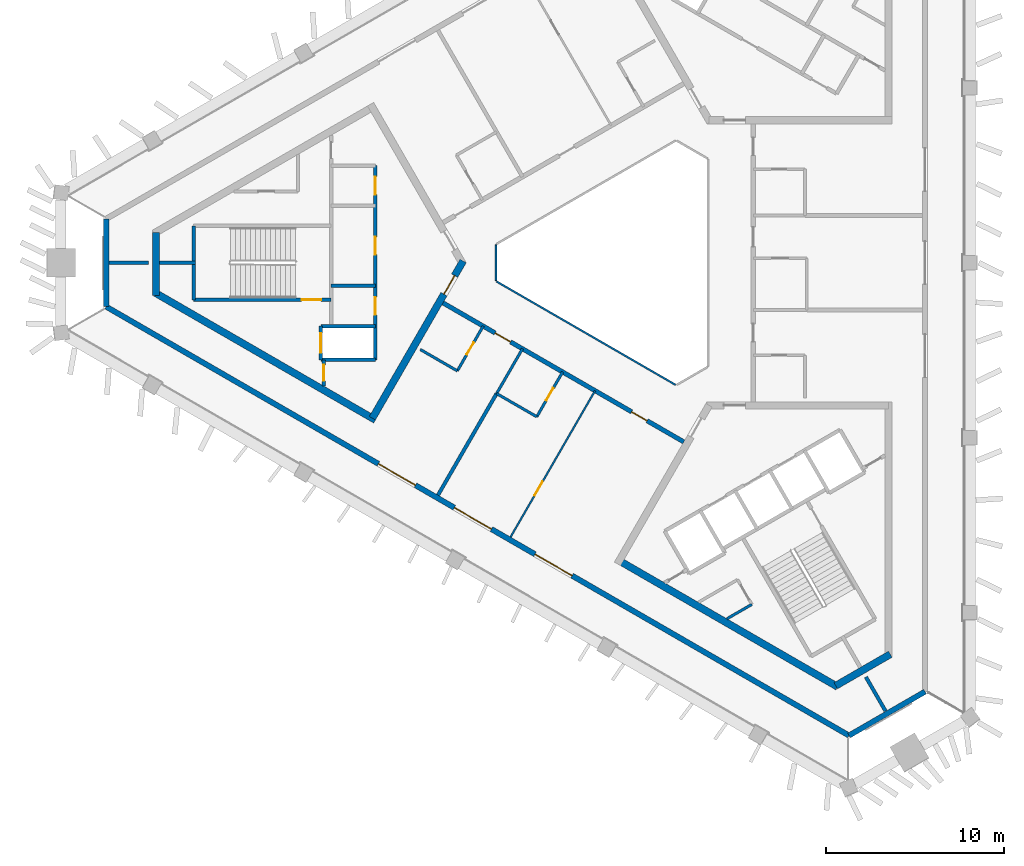
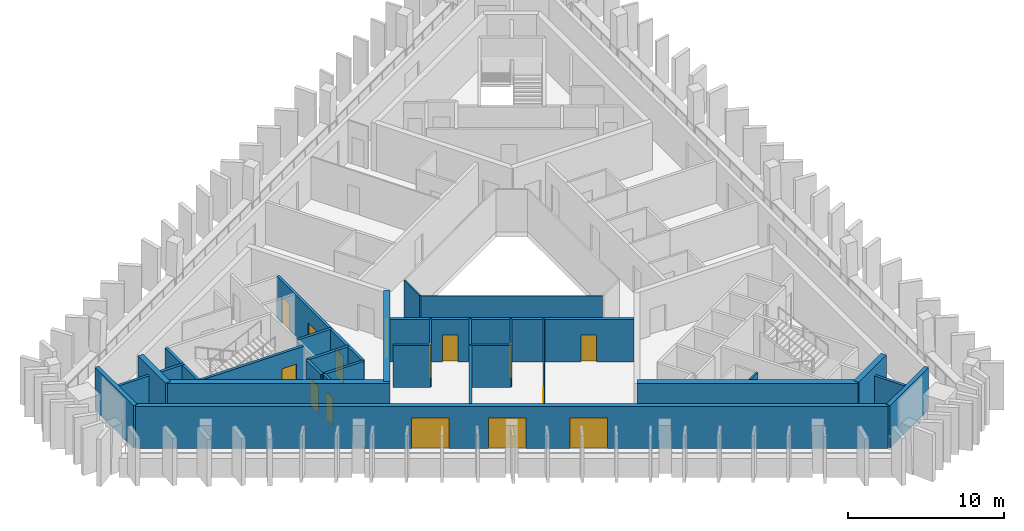
# One storey, part 2 of 10: 30 walls, 15 doors, 15 openings.
"""IFC4 building model written with IfcOpenShell, lengths in metres."""

from ifc_helpers import new_model, si_unit, direction, frame, frame_2d, origin, place, context, subcontext, project, spatial, rectangle, extrude, material, layer, layer_set, type_object, element, fill, save


model = new_model("IFC4")

# Units and contexts
model_context = context("Model", 3, precision=1e-05, world=origin(), true_north=direction((0.0, 1.0)))
body_context = subcontext(model_context, "Body", "Model", "MODEL_VIEW")
ifc_project = project(units=[si_unit("LENGTHUNIT", "METRE"), si_unit("AREAUNIT", "SQUARE_METRE"), si_unit("VOLUMEUNIT", "CUBIC_METRE"), si_unit("PLANEANGLEUNIT", "RADIAN"), si_unit("MASSUNIT", "GRAM", prefix="KILO")], contexts=[model_context])

# Site, building, storey
site_placement = place(None, origin())
site = spatial("IfcSite", under=ifc_project, at=site_placement, CompositionType="ELEMENT")
building_placement = place(site_placement, origin())
building = spatial("IfcBuilding", under=site, at=building_placement, Name="Jabali Bay Hotel Tower and Convention Centre", CompositionType="ELEMENT")
storey_placement = place(building_placement, frame((0.0, 0.0, 266.39990234375)))
storey = spatial("IfcBuildingStorey", under=building, at=storey_placement, Name="L65", CompositionType="ELEMENT", Elevation=266.39990234375)

# Walls
ifc_material_1 = material(Name="Fire-resistant glazing", Category="glass")
ifc_layer_1 = layer(ifc_material_1, 0.10009765625)
ifc_layer_set_1 = layer_set([ifc_layer_1], Name="Fire-resistant glazing")
wall_type_1 = type_object("IfcWallType", Name="Atrium glazed screen 100", PredefinedType="PARTITIONING", material=ifc_layer_set_1)
wall_1_placement = place(storey_placement, frame((67.672119140625, 81.0, 0.0), z_axis=(0.0, 0.0, 1.0), x_axis=(0.0, -1.0, 0.0)))
element("IfcWall", 1, at=wall_1_placement, inside=storey, type_object=wall_type_1, Name="Atrium screen 4 L65", PredefinedType="PARTITIONING", context=body_context, shape_type="SweptSolid", body=[
    extrude(rectangle(XDim=2.0, YDim=0.10009765625, at=frame_2d((1.0, 0.0))), origin(), (0.0, 0.0, 1.0), 3.300048828125),
])
wall_2_placement = place(storey_placement, frame((67.7021484375, 78.947998046875, 0.0), z_axis=(0.0, 0.0, 1.0), x_axis=(0.866026658274, -0.499997827154, 0.0)))
element("IfcWall", 2, at=wall_2_placement, inside=storey, type_object=wall_type_1, Name="Atrium screen 5 L65", PredefinedType="PARTITIONING", context=body_context, shape_type="SweptSolid", body=[
    extrude(rectangle(XDim=11.58837890625, YDim=0.10009765625, at=frame_2d((5.794189453125, 0.0))), origin(), (0.0, 0.0, 1.0), 3.300048828125),
])
ifc_material_2 = material(Name="Concrete C40", Category="concrete")
ifc_layer_2 = layer(ifc_material_2, 0.199951171875)
ifc_layer_set_2 = layer_set([ifc_layer_2], Name="Concrete C40")
wall_type_2 = type_object("IfcWallType", Name="Core partition wall 200", PredefinedType="PARTITIONING", material=ifc_layer_set_2)
wall_3_placement = place(storey_placement, frame((50.820068359375, 80.0, 0.0), z_axis=(0.0, 0.0, 1.0), x_axis=(-1.0, 0.0, 0.0)))
element("IfcWall", 3, at=wall_3_placement, inside=storey, type_object=wall_type_2, Name="Core wall 0.4 L65", PredefinedType="PARTITIONING", context=body_context, shape_type="SweptSolid", body=[
    extrude(rectangle(XDim=2.023193359375, YDim=0.199951171875, at=frame_2d((1.01171875, 0.0))), origin(), (0.0, 0.0, 1.0), 3.300048828125),
])

# Wall, opening, door
wall_4_placement = place(storey_placement, frame((58.0, 74.550048828125, 0.0), z_axis=(0.0, 0.0, 1.0), x_axis=(0.0, -1.0, 0.0)))
wall_4 = element("IfcWall", 4, at=wall_4_placement, inside=storey, type_object=wall_type_2, Name="Core wall 0.11 L65", PredefinedType="PARTITIONING", context=body_context, shape_type="SweptSolid", body=[
    extrude(rectangle(XDim=1.455078125, YDim=0.199951171875, at=frame_2d((0.7275390625, 0.0))), origin(), (0.0, 0.0, 1.0), 3.300048828125),
])
opening_1_placement = place(wall_4_placement, frame((0.277587890625, 0.0, 0.0)))
opening_1 = element("IfcOpeningElement", 5, at=opening_1_placement, cuts=wall_4, Name="Opening D1427", PredefinedType="OPENING", context=body_context, shape_type="SweptSolid", body=[
    extrude(rectangle(XDim=0.89990234375, YDim=2.10009765625, at=frame_2d((0.449951171875, 1.050048828125))), frame((0.0, 0.1103515625, 0.0), z_axis=(0.0, -1.0, 0.0), x_axis=(1.0, 0.0, 0.0)), (0.0, 0.0, 1.0), 0.220947265625),
])
ifc_material_3 = material(Name="Fire-rated steel door", Category="steel")
door_type_1 = type_object("IfcDoorType", Name="Vestibule fire door 900 x 2100", OperationType="NOTDEFINED", PredefinedType="NOTDEFINED", material=ifc_material_3)
door_1_placement = place(opening_1_placement, origin())
door_1 = element("IfcDoor", 6, at=door_1_placement, inside=storey, type_object=door_type_1, Name="Vestibule fire door D1427", OperationType="SINGLE_SWING_LEFT", OverallHeight=2.10009765625, OverallWidth=0.89990234375, PredefinedType="NOTDEFINED", context=body_context, shape_type="SweptSolid", body=[
    extrude(rectangle(XDim=0.89990234375, YDim=2.10009765625, at=frame_2d((0.449951171875, 1.050048828125))), frame((0.0, 0.02490234375, 0.0), z_axis=(0.0, -1.0, 0.0), x_axis=(1.0, 0.0, 0.0)), (0.0, 0.0, 1.0), 0.050048828125),
])
fill(opening_1, door_1)

# Walls
ifc_material_4 = material(Name="Fire-rated board partition")
ifc_layer_3 = layer(ifc_material_4, 0.14990234375)
ifc_layer_set_3 = layer_set([ifc_layer_3], Name="Fire-rated board partition")
wall_type_3 = type_object("IfcWallType", Name="Core room partition 150", PredefinedType="PARTITIONING", material=ifc_layer_set_3)
wall_5_placement = place(storey_placement, frame((80.6201171875, 60.03515625, 0.0), z_axis=(0.0, 0.0, 1.0), x_axis=(0.866001818993, 0.500040847832, 0.0)))
element("IfcWall", 7, at=wall_5_placement, inside=storey, type_object=wall_type_3, Name="Core wall 2.17 L65", PredefinedType="PARTITIONING", context=body_context, shape_type="SweptSolid", body=[
    extrude(rectangle(XDim=1.614990234375, YDim=0.14990234375, at=frame_2d((0.8076171875, 0.0))), origin(), (0.0, 0.0, 1.0), 3.300048828125),
])
ifc_layer_4 = layer(ifc_material_2, 0.199951171875)
ifc_layer_set_4 = layer_set([ifc_layer_4], Name="Concrete C40")
wall_type_4 = type_object("IfcWallType", Name="Core stair wall 200", PredefinedType="SOLIDWALL", material=ifc_layer_set_4)
wall_6_placement = place(storey_placement, frame((60.89990234375, 78.699951171875, 0.0), z_axis=(0.0, 0.0, 1.0), x_axis=(-1.0, 0.0, 0.0)))
element("IfcWall", 8, at=wall_6_placement, inside=storey, type_object=wall_type_4, Name="Core wall 0.5 L65", PredefinedType="SOLIDWALL", context=body_context, shape_type="SweptSolid", body=[
    extrude(rectangle(XDim=2.47998046875, YDim=0.199951171875, at=frame_2d((1.239990234375, 0.0))), origin(), (0.0, 0.0, 1.0), 3.300048828125),
])

# Wall, opening, door
wall_7_placement = place(storey_placement, frame((58.419921875, 77.925048828125, 0.0), z_axis=(0.0, 0.0, 1.0), x_axis=(-1.0, 0.0, 0.0)))
wall_7 = element("IfcWall", 9, at=wall_7_placement, inside=storey, type_object=wall_type_4, Name="Core wall 0.6 L65", PredefinedType="SOLIDWALL", context=body_context, shape_type="SweptSolid", body=[
    extrude(rectangle(XDim=7.699951171875, YDim=0.199951171875, at=frame_2d((3.85009765625, 0.0))), origin(), (0.0, 0.0, 1.0), 3.300048828125),
])
opening_2_placement = place(wall_7_placement, frame((0.550048828125, 0.0, 0.0)))
opening_2 = element("IfcOpeningElement", 10, at=opening_2_placement, cuts=wall_7, Name="Opening D1429", PredefinedType="OPENING", context=body_context, shape_type="SweptSolid", body=[
    extrude(rectangle(XDim=1.10009765625, YDim=2.10009765625, at=frame_2d((0.550048828125, 1.050048828125))), frame((0.0, 0.1103515625, 0.0), z_axis=(0.0, -1.0, 0.0), x_axis=(1.0, 0.0, 0.0)), (0.0, 0.0, 1.0), 0.220947265625),
])
door_type_2 = type_object("IfcDoorType", Name="Stair fire door 1100 x 2100", OperationType="NOTDEFINED", PredefinedType="NOTDEFINED", material=ifc_material_3)
door_2_placement = place(opening_2_placement, origin())
door_2 = element("IfcDoor", 11, at=door_2_placement, inside=storey, type_object=door_type_2, Name="Stair fire door D1429", OperationType="SINGLE_SWING_RIGHT", OverallHeight=2.10009765625, OverallWidth=1.10009765625, PredefinedType="NOTDEFINED", context=body_context, shape_type="SweptSolid", body=[
    extrude(rectangle(XDim=1.10009765625, YDim=2.10009765625, at=frame_2d((0.550048828125, 1.050048828125))), frame((0.0, 0.02490234375, 0.0), z_axis=(0.0, -1.0, 0.0), x_axis=(1.0, 0.0, 0.0)), (0.0, 0.0, 1.0), 0.050048828125),
])
fill(opening_2, door_2)

# Walls
for number, where, z_axis, x_axis, name in (
    (12, (60.89990234375, 76.449951171875, 0.0), (0.0, 0.0, 1.0), (-1.0, 0.0, 0.0), "Core wall 0.7 L65"),
    (13, (60.89990234375, 74.550048828125, 0.0), (0.0, 0.0, 1.0), (-1.0, 0.0, 0.0), "Core wall 0.8 L65"),
):
    element("IfcWall", number, at=place(storey_placement, frame(where, z_axis=z_axis, x_axis=x_axis)), inside=storey, type_object=wall_type_4, Name=name, PredefinedType="SOLIDWALL", context=body_context, shape_type="SweptSolid", body=[
        extrude(rectangle(XDim=3.0498046875, YDim=0.199951171875, at=frame_2d((1.52490234375, 0.0))), origin(), (0.0, 0.0, 1.0), 3.300048828125),
    ])

# Wall, openings, doors
wall_8_placement = place(storey_placement, frame((60.89990234375, 85.449951171875, 0.0), z_axis=(0.0, 0.0, 1.0), x_axis=(0.0, -1.0, 0.0)))
wall_8 = element("IfcWall", 14, at=wall_8_placement, inside=storey, type_object=wall_type_4, Name="Core wall 0.9 L65", PredefinedType="SOLIDWALL", context=body_context, shape_type="SweptSolid", body=[
    extrude(rectangle(XDim=10.89990234375, YDim=0.199951171875, at=frame_2d((5.449951171875, 0.0))), origin(), (0.0, 0.0, 1.0), 3.300048828125),
])
opening_3_placement = place(wall_8_placement, frame((0.625, 0.0, 0.0)))
opening_3 = element("IfcOpeningElement", 15, at=opening_3_placement, cuts=wall_8, Name="Opening D1424", PredefinedType="OPENING", context=body_context, shape_type="SweptSolid", body=[
    extrude(rectangle(XDim=1.0, YDim=2.10009765625, at=frame_2d((0.5, 1.050048828125))), frame((0.0, 0.1103515625, 0.0), z_axis=(0.0, -1.0, 0.0), x_axis=(1.0, 0.0, 0.0)), (0.0, 0.0, 1.0), 0.220947265625),
])
opening_4_placement = place(wall_8_placement, frame((4.0, 0.0, 0.0)))
opening_4 = element("IfcOpeningElement", 16, at=opening_4_placement, cuts=wall_8, Name="Opening D1425", PredefinedType="OPENING", context=body_context, shape_type="SweptSolid", body=[
    extrude(rectangle(XDim=1.0, YDim=2.10009765625, at=frame_2d((0.5, 1.050048828125))), frame((0.0, 0.1103515625, 0.0), z_axis=(0.0, -1.0, 0.0), x_axis=(1.0, 0.0, 0.0)), (0.0, 0.0, 1.0), 0.220947265625),
])
opening_5_placement = place(wall_8_placement, frame((7.375, 0.0, 0.0)))
opening_5 = element("IfcOpeningElement", 17, at=opening_5_placement, cuts=wall_8, Name="Opening D1426", PredefinedType="OPENING", context=body_context, shape_type="SweptSolid", body=[
    extrude(rectangle(XDim=1.0, YDim=2.10009765625, at=frame_2d((0.5, 1.050048828125))), frame((0.0, 0.1103515625, 0.0), z_axis=(0.0, -1.0, 0.0), x_axis=(1.0, 0.0, 0.0)), (0.0, 0.0, 1.0), 0.220947265625),
])
door_type_3 = type_object("IfcDoorType", Name="Core room door 1000 x 2100", OperationType="NOTDEFINED", PredefinedType="NOTDEFINED", material=ifc_material_3)
door_3_placement = place(opening_3_placement, origin())
door_3 = element("IfcDoor", 18, at=door_3_placement, inside=storey, type_object=door_type_3, Name="Core room door D1424", OperationType="SINGLE_SWING_RIGHT", OverallHeight=2.10009765625, OverallWidth=1.0, PredefinedType="NOTDEFINED", context=body_context, shape_type="SweptSolid", body=[
    extrude(rectangle(XDim=1.0, YDim=2.10009765625, at=frame_2d((0.5, 1.050048828125))), frame((0.0, 0.02490234375, 0.0), z_axis=(0.0, -1.0, 0.0), x_axis=(1.0, 0.0, 0.0)), (0.0, 0.0, 1.0), 0.050048828125),
])
fill(opening_3, door_3)
door_4_placement = place(opening_4_placement, origin())
door_4 = element("IfcDoor", 19, at=door_4_placement, inside=storey, type_object=door_type_3, Name="Core room door D1425", OperationType="SINGLE_SWING_RIGHT", OverallHeight=2.10009765625, OverallWidth=1.0, PredefinedType="NOTDEFINED", context=body_context, shape_type="SweptSolid", body=[
    extrude(rectangle(XDim=1.0, YDim=2.10009765625, at=frame_2d((0.5, 1.050048828125))), frame((0.0, 0.02490234375, 0.0), z_axis=(0.0, -1.0, 0.0), x_axis=(1.0, 0.0, 0.0)), (0.0, 0.0, 1.0), 0.050048828125),
])
fill(opening_4, door_4)
door_5_placement = place(opening_5_placement, origin())
door_5 = element("IfcDoor", 20, at=door_5_placement, inside=storey, type_object=door_type_3, Name="Core room door D1426", OperationType="SINGLE_SWING_RIGHT", OverallHeight=2.10009765625, OverallWidth=1.0, PredefinedType="NOTDEFINED", context=body_context, shape_type="SweptSolid", body=[
    extrude(rectangle(XDim=1.0, YDim=2.10009765625, at=frame_2d((0.5, 1.050048828125))), frame((0.0, 0.02490234375, 0.0), z_axis=(0.0, -1.0, 0.0), x_axis=(1.0, 0.0, 0.0)), (0.0, 0.0, 1.0), 0.050048828125),
])
fill(opening_5, door_5)

# Wall, opening, door
wall_9_placement = place(storey_placement, frame((57.85009765625, 76.449951171875, 0.0), z_axis=(0.0, 0.0, 1.0), x_axis=(0.0, -1.0, 0.0)))
wall_9 = element("IfcWall", 21, at=wall_9_placement, inside=storey, type_object=wall_type_4, Name="Core wall 0.12 L65", PredefinedType="SOLIDWALL", context=body_context, shape_type="SweptSolid", body=[
    extrude(rectangle(XDim=1.89990234375, YDim=0.199951171875, at=frame_2d((0.949951171875, 0.0))), origin(), (0.0, 0.0, 1.0), 3.300048828125),
])
opening_6_placement = place(wall_9_placement, frame((0.39990234375, 0.0, 0.0)))
opening_6 = element("IfcOpeningElement", 22, at=opening_6_placement, cuts=wall_9, Name="Opening LD5-L65", PredefinedType="OPENING", context=body_context, shape_type="SweptSolid", body=[
    extrude(rectangle(XDim=1.10009765625, YDim=2.10009765625, at=frame_2d((0.550048828125, 1.050048828125))), frame((0.0, 0.1103515625, 0.0), z_axis=(0.0, -1.0, 0.0), x_axis=(1.0, 0.0, 0.0)), (0.0, 0.0, 1.0), 0.220947265625),
])
ifc_material_5 = material(Name="Stainless steel landing door", Category="steel")
door_type_4 = type_object("IfcDoorType", Name="Landing door 1100 x 2100", OperationType="NOTDEFINED", PredefinedType="NOTDEFINED", material=ifc_material_5)
door_6_placement = place(opening_6_placement, origin())
door_6 = element("IfcDoor", 23, at=door_6_placement, inside=storey, type_object=door_type_4, Name="Landing doors LD5-L65", OperationType="SLIDING_TO_RIGHT", OverallHeight=2.10009765625, OverallWidth=1.10009765625, PredefinedType="NOTDEFINED", context=body_context, shape_type="SweptSolid", body=[
    extrude(rectangle(XDim=1.10009765625, YDim=2.10009765625, at=frame_2d((0.550048828125, 1.050048828125))), frame((0.0, 0.02490234375, 0.0), z_axis=(0.0, -1.0, 0.0), x_axis=(1.0, 0.0, 0.0)), (0.0, 0.0, 1.0), 0.050048828125),
])
fill(opening_6, door_6)

# Walls
wall_10_placement = place(storey_placement, frame((50.719970703125, 82.074951171875, 0.0), z_axis=(0.0, 0.0, 1.0), x_axis=(0.0, -1.0, 0.0)))
element("IfcWall", 24, at=wall_10_placement, inside=storey, type_object=wall_type_4, Name="Core wall 0.14 L65", PredefinedType="SOLIDWALL", context=body_context, shape_type="SweptSolid", body=[
    extrude(rectangle(XDim=4.14990234375, YDim=0.199951171875, at=frame_2d((2.074951171875, 0.0))), origin(), (0.0, 0.0, 1.0), 3.300048828125),
])
ifc_material_6 = material(Name="Concrete C60", Category="concrete")
ifc_layer_5 = layer(ifc_material_6, 0.39990234375)
ifc_layer_set_5 = layer_set([ifc_layer_5], Name="Concrete C60")
wall_type_5 = type_object("IfcWallType", Name="Core wall 400", PredefinedType="SHEAR", material=ifc_layer_set_5)
wall_11_placement = place(storey_placement, frame((48.596923828125, 81.707275390625, 0.0), z_axis=(0.0, 0.0, 1.0), x_axis=(0.0, -1.0, 0.0)))
element("IfcWall", 25, at=wall_11_placement, inside=storey, type_object=wall_type_5, Name="Core wall 1.3 L65", PredefinedType="SHEAR", context=body_context, shape_type="SweptSolid", body=[
    extrude(rectangle(XDim=3.530029296875, YDim=0.39990234375, at=frame_2d((1.76513671875, 0.0))), origin(), (0.0, 0.0, 1.0), 3.7001953125),
])
wall_12_placement = place(storey_placement, frame((48.596923828125, 78.292724609375, 0.0), z_axis=(0.0, 0.0, 1.0), x_axis=(0.866026024469, -0.499998924941, 0.0)))
element("IfcWall", 26, at=wall_12_placement, inside=storey, type_object=wall_type_5, Name="Core wall 1.4 L65", PredefinedType="SHEAR", context=body_context, shape_type="SweptSolid", body=[
    extrude(rectangle(XDim=14.2177734375, YDim=0.39990234375, at=frame_2d((7.10888671875, 0.0))), origin(), (0.0, 0.0, 1.0), 3.7001953125),
])

# Wall, opening, door
wall_13_placement = place(storey_placement, frame((60.73681640625, 71.283935546875, 0.0), z_axis=(0.0, 0.0, 1.0), x_axis=(0.50000547566, 0.866022242388, 0.0)))
wall_13 = element("IfcWall", 27, at=wall_13_placement, inside=storey, type_object=wall_type_5, Name="Core wall 1.5 L65", PredefinedType="SHEAR", context=body_context, shape_type="SweptSolid", body=[
    extrude(rectangle(XDim=10.18017578125, YDim=0.39990234375, at=frame_2d((5.090087890625, 0.0))), origin(), (0.0, 0.0, 1.0), 3.7001953125),
])
opening_7_placement = place(wall_13_placement, frame((8.030029296875, 0.0, 0.0)))
opening_7 = element("IfcOpeningElement", 28, at=opening_7_placement, cuts=wall_13, Name="Opening D1423", PredefinedType="OPENING", context=body_context, shape_type="SweptSolid", body=[
    extrude(rectangle(XDim=1.199951171875, YDim=2.10009765625, at=frame_2d((0.60009765625, 1.050048828125))), frame((0.0, 0.21044921875, 0.0), z_axis=(0.0, -1.0, 0.0), x_axis=(1.0, 0.0, 0.0)), (0.0, 0.0, 1.0), 0.4208984375),
])
door_type_5 = type_object("IfcDoorType", Name="Corridor end fire door 1200 x 2100", OperationType="NOTDEFINED", PredefinedType="NOTDEFINED", material=ifc_material_3)
door_7_placement = place(opening_7_placement, origin())
door_7 = element("IfcDoor", 29, at=door_7_placement, inside=storey, type_object=door_type_5, Name="Corridor end fire door D1423", OperationType="SINGLE_SWING_LEFT", OverallHeight=2.10009765625, OverallWidth=1.199951171875, PredefinedType="NOTDEFINED", context=body_context, shape_type="SweptSolid", body=[
    extrude(rectangle(XDim=1.199951171875, YDim=2.10009765625, at=frame_2d((0.60009765625, 1.050048828125))), frame((0.0, 0.02490234375, 0.0), z_axis=(0.0, -1.0, 0.0), x_axis=(1.0, 0.0, 0.0)), (0.0, 0.0, 1.0), 0.050048828125),
])
fill(opening_7, door_7)

# Walls
wall_14_placement = place(storey_placement, frame((74.583251953125, 63.28955078125, 0.0), z_axis=(0.0, 0.0, 1.0), x_axis=(0.866024494188, -0.500001575463, 0.0)))
element("IfcWall", 30, at=wall_14_placement, inside=storey, type_object=wall_type_5, Name="Core wall 3.2 L65", PredefinedType="SHEAR", context=body_context, shape_type="SweptSolid", body=[
    extrude(rectangle(XDim=14.13330078125, YDim=0.39990234375, at=frame_2d((7.066650390625, 0.0))), origin(), (0.0, 0.0, 1.0), 3.7001953125),
])
wall_15_placement = place(storey_placement, frame((86.72314453125, 56.28076171875, 0.0), z_axis=(0.0, 0.0, 1.0), x_axis=(0.866025485263, 0.499999858875, 0.0)))
element("IfcWall", 31, at=wall_15_placement, inside=storey, type_object=wall_type_5, Name="Core wall 3.3 L65", PredefinedType="SHEAR", context=body_context, shape_type="SweptSolid", body=[
    extrude(rectangle(XDim=3.52978515625, YDim=0.39990234375, at=frame_2d((1.764892578125, 0.0))), origin(), (0.0, 0.0, 1.0), 3.7001953125),
])

# Wall, openings, doors
ifc_layer_6 = layer(ifc_material_6, 0.25)
ifc_layer_set_6 = layer_set([ifc_layer_6], Name="Concrete C60")
wall_type_6 = type_object("IfcWallType", Name="Corridor wall 250", PredefinedType="SHEAR", material=ifc_layer_set_6)
wall_16_placement = place(storey_placement, frame((64.699951171875, 77.748291015625, 0.0), z_axis=(0.0, 0.0, 1.0), x_axis=(0.866026492143, -0.499998114903, 0.0)))
wall_16 = element("IfcWall", 32, at=wall_16_placement, inside=storey, type_object=wall_type_6, Name="Corridor wall 3 L65", PredefinedType="SHEAR", context=body_context, shape_type="SweptSolid", body=[
    extrude(rectangle(XDim=15.58837890625, YDim=0.25, at=frame_2d((7.794189453125, 0.0))), origin(), (0.0, 0.0, 1.0), 3.300048828125),
])
opening_8_placement = place(wall_16_placement, frame((3.3720703125, 0.0, 0.0)))
opening_8 = element("IfcOpeningElement", 33, at=opening_8_placement, cuts=wall_16, Name="Opening 6513", PredefinedType="OPENING", context=body_context, shape_type="SweptSolid", body=[
    extrude(rectangle(XDim=1.0, YDim=2.10009765625, at=frame_2d((0.5, 1.050048828125))), frame((0.0, 0.135498046875, 0.0), z_axis=(0.0, -1.0, 0.0), x_axis=(1.0, 0.0, 0.0)), (0.0, 0.0, 1.0), 0.27099609375),
])
opening_9_placement = place(wall_16_placement, frame((12.21630859375, 0.0, 0.0)))
opening_9 = element("IfcOpeningElement", 34, at=opening_9_placement, cuts=wall_16, Name="Opening 6516", PredefinedType="OPENING", context=body_context, shape_type="SweptSolid", body=[
    extrude(rectangle(XDim=1.0, YDim=2.10009765625, at=frame_2d((0.5, 1.050048828125))), frame((0.0, 0.135498046875, 0.0), z_axis=(0.0, -1.0, 0.0), x_axis=(1.0, 0.0, 0.0)), (0.0, 0.0, 1.0), 0.27099609375),
])
ifc_material_7 = material(Name="Timber", Category="wood")
door_type_6 = type_object("IfcDoorType", Name="Guest room door 1000 x 2100", OperationType="NOTDEFINED", PredefinedType="NOTDEFINED", material=ifc_material_7)
door_8_placement = place(opening_8_placement, origin())
door_8 = element("IfcDoor", 35, at=door_8_placement, inside=storey, type_object=door_type_6, Name="Door 6513", OperationType="SINGLE_SWING_LEFT", OverallHeight=2.10009765625, OverallWidth=1.0, PredefinedType="NOTDEFINED", context=body_context, shape_type="SweptSolid", body=[
    extrude(rectangle(XDim=1.0, YDim=2.10009765625, at=frame_2d((0.5, 1.050048828125))), frame((0.0, 0.02490234375, 0.0), z_axis=(0.0, -1.0, 0.0), x_axis=(1.0, 0.0, 0.0)), (0.0, 0.0, 1.0), 0.050048828125),
])
fill(opening_8, door_8)
door_9_placement = place(opening_9_placement, origin())
door_9 = element("IfcDoor", 36, at=door_9_placement, inside=storey, type_object=door_type_6, Name="Door 6516", OperationType="SINGLE_SWING_RIGHT", OverallHeight=2.10009765625, OverallWidth=1.0, PredefinedType="NOTDEFINED", context=body_context, shape_type="SweptSolid", body=[
    extrude(rectangle(XDim=1.0, YDim=2.10009765625, at=frame_2d((0.5, 1.050048828125))), frame((0.0, 0.02490234375, 0.0), z_axis=(0.0, -1.0, 0.0), x_axis=(1.0, 0.0, 0.0)), (0.0, 0.0, 1.0), 0.050048828125),
])
fill(opening_9, door_9)

# Walls
ifc_layer_7 = layer(ifc_material_2, 0.300048828125)
ifc_layer_set_7 = layer_set([ifc_layer_7], Name="Concrete C40")
wall_type_7 = type_object("IfcWallType", Name="External wall 300", PredefinedType="SOLIDWALL", material=ifc_layer_set_7)
wall_17_placement = place(storey_placement, frame((45.806640625, 77.539794921875, 0.0), z_axis=(0.0, 0.0, 1.0), x_axis=(0.0, 1.0, 0.0)))
element("IfcWall", 37, at=wall_17_placement, inside=storey, type_object=wall_type_7, Name="External wall west chamfer L65", PredefinedType="SOLIDWALL", context=body_context, shape_type="SweptSolid", body=[
    extrude(rectangle(XDim=4.92041015625, YDim=0.300048828125, at=frame_2d((2.460205078125, 0.0))), origin(), (0.0, 0.0, 1.0), 3.300048828125),
])
wall_18_placement = place(storey_placement, frame((91.727294921875, 55.947998046875, 0.0), z_axis=(0.0, 0.0, 1.0), x_axis=(-0.866039345566, -0.499975851348, 0.0)))
element("IfcWall", 38, at=wall_18_placement, inside=storey, type_object=wall_type_7, Name="External wall south-east chamfer L65", PredefinedType="SOLIDWALL", context=body_context, shape_type="SweptSolid", body=[
    extrude(rectangle(XDim=4.920654296875, YDim=0.300048828125, at=frame_2d((2.46044921875, 0.0))), origin(), (0.0, 0.0, 1.0), 3.300048828125),
])

# Wall, openings, doors
wall_19_placement = place(storey_placement, frame((87.4658203125, 53.48779296875, 0.0), z_axis=(0.0, 0.0, 1.0), x_axis=(-0.866024833565, 0.500000987648, 0.0)))
wall_19 = element("IfcWall", 39, at=wall_19_placement, inside=storey, type_object=wall_type_7, Name="External wall south-west face L65", PredefinedType="SOLIDWALL", context=body_context, shape_type="SweptSolid", body=[
    extrude(rectangle(XDim=48.10400390625, YDim=0.300048828125, at=frame_2d((24.052001953125, 0.0))), origin(), (0.0, 0.0, 1.0), 3.300048828125),
])
opening_10_placement = place(wall_19_placement, frame((23.152099609375, 0.0, 0.0)))
opening_10 = element("IfcOpeningElement", 40, at=opening_10_placement, cuts=wall_19, Name="Opening SD1", PredefinedType="OPENING", context=body_context, shape_type="SweptSolid", body=[
    extrude(rectangle(XDim=2.39990234375, YDim=2.39990234375, at=frame_2d((1.199951171875, 1.199951171875))), frame((0.0, 0.16064453125, 0.0), z_axis=(0.0, -1.0, 0.0), x_axis=(1.0, 0.0, 0.0)), (0.0, 0.0, 1.0), 0.321044921875),
])
opening_11_placement = place(wall_19_placement, frame((17.929931640625, 0.0, 0.0)))
opening_11 = element("IfcOpeningElement", 41, at=opening_11_placement, cuts=wall_19, Name="Opening SD1", PredefinedType="OPENING", context=body_context, shape_type="SweptSolid", body=[
    extrude(rectangle(XDim=2.39990234375, YDim=2.39990234375, at=frame_2d((1.199951171875, 1.199951171875))), frame((0.0, 0.16064453125, 0.0), z_axis=(0.0, -1.0, 0.0), x_axis=(1.0, 0.0, 0.0)), (0.0, 0.0, 1.0), 0.321044921875),
])
opening_12_placement = place(wall_19_placement, frame((28.07421875, 0.0, 0.0)))
opening_12 = element("IfcOpeningElement", 42, at=opening_12_placement, cuts=wall_19, Name="Opening SD1", PredefinedType="OPENING", context=body_context, shape_type="SweptSolid", body=[
    extrude(rectangle(XDim=2.39990234375, YDim=2.39990234375, at=frame_2d((1.199951171875, 1.199951171875))), frame((0.0, 0.16064453125, 0.0), z_axis=(0.0, -1.0, 0.0), x_axis=(1.0, 0.0, 0.0)), (0.0, 0.0, 1.0), 0.321044921875),
])
ifc_material_8 = material(Name="Glass", Category="glass")
door_type_7 = type_object("IfcDoorType", Name="Loggia sliding door 2400 x 2400", OperationType="NOTDEFINED", PredefinedType="NOTDEFINED", material=ifc_material_8)
door_10_placement = place(opening_10_placement, origin())
door_10 = element("IfcDoor", 43, at=door_10_placement, inside=storey, type_object=door_type_7, Name="Loggia sliding door 6507", OperationType="SLIDING_TO_LEFT", OverallHeight=2.39990234375, OverallWidth=2.39990234375, PredefinedType="NOTDEFINED", context=body_context, shape_type="SweptSolid", body=[
    extrude(rectangle(XDim=2.39990234375, YDim=2.39990234375, at=frame_2d((1.199951171875, 1.199951171875))), frame((0.0, 0.02490234375, 0.0), z_axis=(0.0, -1.0, 0.0), x_axis=(1.0, 0.0, 0.0)), (0.0, 0.0, 1.0), 0.050048828125),
])
fill(opening_10, door_10)
door_11_placement = place(opening_11_placement, origin())
door_11 = element("IfcDoor", 44, at=door_11_placement, inside=storey, type_object=door_type_7, Name="Loggia sliding door 6507", OperationType="SLIDING_TO_RIGHT", OverallHeight=2.39990234375, OverallWidth=2.39990234375, PredefinedType="NOTDEFINED", context=body_context, shape_type="SweptSolid", body=[
    extrude(rectangle(XDim=2.39990234375, YDim=2.39990234375, at=frame_2d((1.199951171875, 1.199951171875))), frame((0.0, 0.02490234375, 0.0), z_axis=(0.0, -1.0, 0.0), x_axis=(1.0, 0.0, 0.0)), (0.0, 0.0, 1.0), 0.050048828125),
])
fill(opening_11, door_11)
door_12_placement = place(opening_12_placement, origin())
door_12 = element("IfcDoor", 45, at=door_12_placement, inside=storey, type_object=door_type_7, Name="Loggia sliding door 6506", OperationType="SLIDING_TO_LEFT", OverallHeight=2.39990234375, OverallWidth=2.39990234375, PredefinedType="NOTDEFINED", context=body_context, shape_type="SweptSolid", body=[
    extrude(rectangle(XDim=2.39990234375, YDim=2.39990234375, at=frame_2d((1.199951171875, 1.199951171875))), frame((0.0, 0.02490234375, 0.0), z_axis=(0.0, -1.0, 0.0), x_axis=(1.0, 0.0, 0.0)), (0.0, 0.0, 1.0), 0.050048828125),
])
fill(opening_12, door_12)

# Wall, opening, door
ifc_material_9 = material(Name="Plasterboard on steel stud", Category="steel")
ifc_layer_8 = layer(ifc_material_9, 0.10009765625)
ifc_layer_set_8 = layer_set([ifc_layer_8], Name="Plasterboard on steel stud")
wall_type_8 = type_object("IfcWallType", Name="Partition 100 unit", PredefinedType="PARTITIONING", material=ifc_layer_set_8)
wall_20_placement = place(storey_placement, frame((68.486083984375, 64.617919921875, 0.0), z_axis=(0.0, 0.0, 1.0), x_axis=(0.500017514154, 0.866015291747, 0.0)))
wall_20 = element("IfcWall", 46, at=wall_20_placement, inside=storey, type_object=wall_type_8, Name="Partition P02 L65 025", PredefinedType="PARTITIONING", context=body_context, shape_type="SweptSolid", body=[
    extrude(rectangle(XDim=9.478271484375, YDim=0.10009765625, at=frame_2d((4.7392578125, 0.0))), origin(), (0.0, 0.0, 1.0), 3.300048828125),
])
opening_13_placement = place(wall_20_placement, frame((2.68994140625, 0.0, 0.0)))
opening_13 = element("IfcOpeningElement", 47, at=opening_13_placement, cuts=wall_20, Name="Opening 6515", PredefinedType="OPENING", context=body_context, shape_type="SweptSolid", body=[
    extrude(rectangle(XDim=0.89990234375, YDim=2.10009765625, at=frame_2d((0.449951171875, 1.050048828125))), frame((0.0, 0.060546875, 0.0), z_axis=(0.0, -1.0, 0.0), x_axis=(1.0, 0.0, 0.0)), (0.0, 0.0, 1.0), 0.12109375),
])
door_type_8 = type_object("IfcDoorType", Name="Internal door 900 x 2100", OperationType="NOTDEFINED", PredefinedType="NOTDEFINED", material=ifc_material_7)
door_13_placement = place(opening_13_placement, origin())
door_13 = element("IfcDoor", 48, at=door_13_placement, inside=storey, type_object=door_type_8, Name="Door 6515", OperationType="SINGLE_SWING_RIGHT", OverallHeight=2.10009765625, OverallWidth=0.89990234375, PredefinedType="NOTDEFINED", context=body_context, shape_type="SweptSolid", body=[
    extrude(rectangle(XDim=0.89990234375, YDim=2.10009765625, at=frame_2d((0.449951171875, 1.050048828125))), frame((0.0, 0.02490234375, 0.0), z_axis=(0.0, -1.0, 0.0), x_axis=(1.0, 0.0, 0.0)), (0.0, 0.0, 1.0), 0.050048828125),
])
fill(opening_13, door_13)

ifc_layer_9 = layer(ifc_material_9, 0.14990234375)
ifc_layer_set_9 = layer_set([ifc_layer_9], Name="Plasterboard on steel stud")
wall_type_9 = type_object("IfcWallType", Name="Partition 150 wet", PredefinedType="PARTITIONING", material=ifc_layer_set_9)
wall_21_placement = place(storey_placement, frame((66.95166015625, 76.4482421875, 0.0), z_axis=(0.0, 0.0, 1.0), x_axis=(-0.499987231761, -0.866032775405, 0.0)))
wall_21 = element("IfcWall", 49, at=wall_21_placement, inside=storey, type_object=wall_type_9, Name="Partition P03 L65 021", PredefinedType="PARTITIONING", context=body_context, shape_type="SweptSolid", body=[
    extrude(rectangle(XDim=2.89990234375, YDim=0.14990234375, at=frame_2d((1.449951171875, 0.0))), origin(), (0.0, 0.0, 1.0), 3.300048828125),
])
opening_14_placement = place(wall_21_placement, frame((1.050048828125, 0.0, 0.0)))
opening_14 = element("IfcOpeningElement", 50, at=opening_14_placement, cuts=wall_21, Name="Opening 6512", PredefinedType="OPENING", context=body_context, shape_type="SweptSolid", body=[
    extrude(rectangle(XDim=0.800048828125, YDim=2.10009765625, at=frame_2d((0.39990234375, 1.050048828125))), frame((0.0, 0.08544921875, 0.0), z_axis=(0.0, -1.0, 0.0), x_axis=(1.0, 0.0, 0.0)), (0.0, 0.0, 1.0), 0.1708984375),
])
door_type_9 = type_object("IfcDoorType", Name="En-suite door 800 x 2100", OperationType="NOTDEFINED", PredefinedType="NOTDEFINED", material=ifc_material_7)
door_14_placement = place(opening_14_placement, origin())
door_14 = element("IfcDoor", 51, at=door_14_placement, inside=storey, type_object=door_type_9, Name="Door 6512", OperationType="SINGLE_SWING_RIGHT", OverallHeight=2.10009765625, OverallWidth=0.800048828125, PredefinedType="NOTDEFINED", context=body_context, shape_type="SweptSolid", body=[
    extrude(rectangle(XDim=0.800048828125, YDim=2.10009765625, at=frame_2d((0.39990234375, 1.050048828125))), frame((0.0, 0.02490234375, 0.0), z_axis=(0.0, -1.0, 0.0), x_axis=(1.0, 0.0, 0.0)), (0.0, 0.0, 1.0), 0.050048828125),
])
fill(opening_14, door_14)

# Walls
wall_22_placement = place(storey_placement, frame((65.501708984375, 73.936767578125, 0.0), z_axis=(0.0, 0.0, 1.0), x_axis=(-0.865994240961, 0.500053971709, 0.0)))
element("IfcWall", 52, at=wall_22_placement, inside=storey, type_object=wall_type_9, Name="Partition P03 L65 022", PredefinedType="PARTITIONING", context=body_context, shape_type="SweptSolid", body=[
    extrude(rectangle(XDim=2.401123046875, YDim=0.14990234375, at=frame_2d((1.20068359375, 0.0))), origin(), (0.0, 0.0, 1.0), 3.300048828125),
])
wall_23_placement = place(storey_placement, frame((67.705078125, 72.664794921875, 0.0), z_axis=(0.0, 0.0, 1.0), x_axis=(0.499987231761, 0.866032775405, 0.0)))
element("IfcWall", 53, at=wall_23_placement, inside=storey, type_object=wall_type_9, Name="Partition P03 L65 024", PredefinedType="PARTITIONING", context=body_context, shape_type="SweptSolid", body=[
    extrude(rectangle(XDim=2.89990234375, YDim=0.14990234375, at=frame_2d((1.449951171875, 0.0))), origin(), (0.0, 0.0, 1.0), 3.300048828125),
])

# Wall, opening, door
wall_24_placement = place(storey_placement, frame((71.40673828125, 73.876220703125, 0.0), z_axis=(0.0, 0.0, 1.0), x_axis=(-0.499987231761, -0.866032775405, 0.0)))
wall_24 = element("IfcWall", 54, at=wall_24_placement, inside=storey, type_object=wall_type_9, Name="Partition P03 L65 026", PredefinedType="PARTITIONING", context=body_context, shape_type="SweptSolid", body=[
    extrude(rectangle(XDim=2.89990234375, YDim=0.14990234375, at=frame_2d((1.449951171875, 0.0))), origin(), (0.0, 0.0, 1.0), 3.300048828125),
])
opening_15_placement = place(wall_24_placement, frame((1.050048828125, 0.0, 0.0)))
opening_15 = element("IfcOpeningElement", 55, at=opening_15_placement, cuts=wall_24, Name="Opening 6514", PredefinedType="OPENING", context=body_context, shape_type="SweptSolid", body=[
    extrude(rectangle(XDim=0.800048828125, YDim=2.10009765625, at=frame_2d((0.39990234375, 1.050048828125))), frame((0.0, 0.08544921875, 0.0), z_axis=(0.0, -1.0, 0.0), x_axis=(1.0, 0.0, 0.0)), (0.0, 0.0, 1.0), 0.1708984375),
])
door_15_placement = place(opening_15_placement, origin())
door_15 = element("IfcDoor", 56, at=door_15_placement, inside=storey, type_object=door_type_9, Name="Door 6514", OperationType="SINGLE_SWING_RIGHT", OverallHeight=2.10009765625, OverallWidth=0.800048828125, PredefinedType="NOTDEFINED", context=body_context, shape_type="SweptSolid", body=[
    extrude(rectangle(XDim=0.800048828125, YDim=2.10009765625, at=frame_2d((0.39990234375, 1.050048828125))), frame((0.0, 0.02490234375, 0.0), z_axis=(0.0, -1.0, 0.0), x_axis=(1.0, 0.0, 0.0)), (0.0, 0.0, 1.0), 0.050048828125),
])
fill(opening_15, door_15)

# Walls
wall_25_placement = place(storey_placement, frame((69.956787109375, 71.36474609375, 0.0), z_axis=(0.0, 0.0, 1.0), x_axis=(-0.866021400173, 0.500006934395, 0.0)))
element("IfcWall", 57, at=wall_25_placement, inside=storey, type_object=wall_type_9, Name="Partition P03 L65 027", PredefinedType="PARTITIONING", context=body_context, shape_type="SweptSolid", body=[
    extrude(rectangle(XDim=2.60009765625, YDim=0.14990234375, at=frame_2d((1.300048828125, 0.0))), origin(), (0.0, 0.0, 1.0), 3.300048828125),
])
ifc_layer_10 = layer(ifc_material_9, 0.199951171875)
ifc_layer_set_10 = layer_set([ifc_layer_10], Name="Plasterboard on steel stud")
wall_type_10 = type_object("IfcWallType", Name="Partition 200 party", PredefinedType="PARTITIONING", material=ifc_layer_set_10)
wall_26_placement = place(storey_placement, frame((88.412353515625, 56.77099609375, 0.0), z_axis=(0.0, 0.0, 1.0), x_axis=(0.50002983664, -0.866008176907, 0.0)))
element("IfcWall", 58, at=wall_26_placement, inside=storey, type_object=wall_type_10, Name="Partition P01 L65 005", PredefinedType="PARTITIONING", context=body_context, shape_type="SweptSolid", body=[
    extrude(rectangle(XDim=2.199951171875, YDim=0.199951171875, at=frame_2d((1.10009765625, 0.0))), origin(), (0.0, 0.0, 1.0), 3.300048828125),
])
wall_27_placement = place(storey_placement, frame((45.976806640625, 80.0009765625, 0.0), z_axis=(0.0, 0.0, 1.0), x_axis=(1.0, 0.0, 0.0)))
element("IfcWall", 59, at=wall_27_placement, inside=storey, type_object=wall_type_10, Name="Partition P01 L65 020", PredefinedType="PARTITIONING", context=body_context, shape_type="SweptSolid", body=[
    extrude(rectangle(XDim=2.2001953125, YDim=0.199951171875, at=frame_2d((1.10009765625, 0.0))), origin(), (0.0, 0.0, 1.0), 3.300048828125),
])
wall_28_placement = place(storey_placement, frame((64.415771484375, 66.9677734375, 0.0), z_axis=(0.0, 0.0, 1.0), x_axis=(0.500014792963, 0.866016862895, 0.0)))
element("IfcWall", 60, at=wall_28_placement, inside=storey, type_object=wall_type_10, Name="Partition P01 L65 023", PredefinedType="PARTITIONING", context=body_context, shape_type="SweptSolid", body=[
    extrude(rectangle(XDim=6.578369140625, YDim=0.199951171875, at=frame_2d((3.2890625, 0.0))), origin(), (0.0, 0.0, 1.0), 3.300048828125),
])

save(model, "model.ifc")
